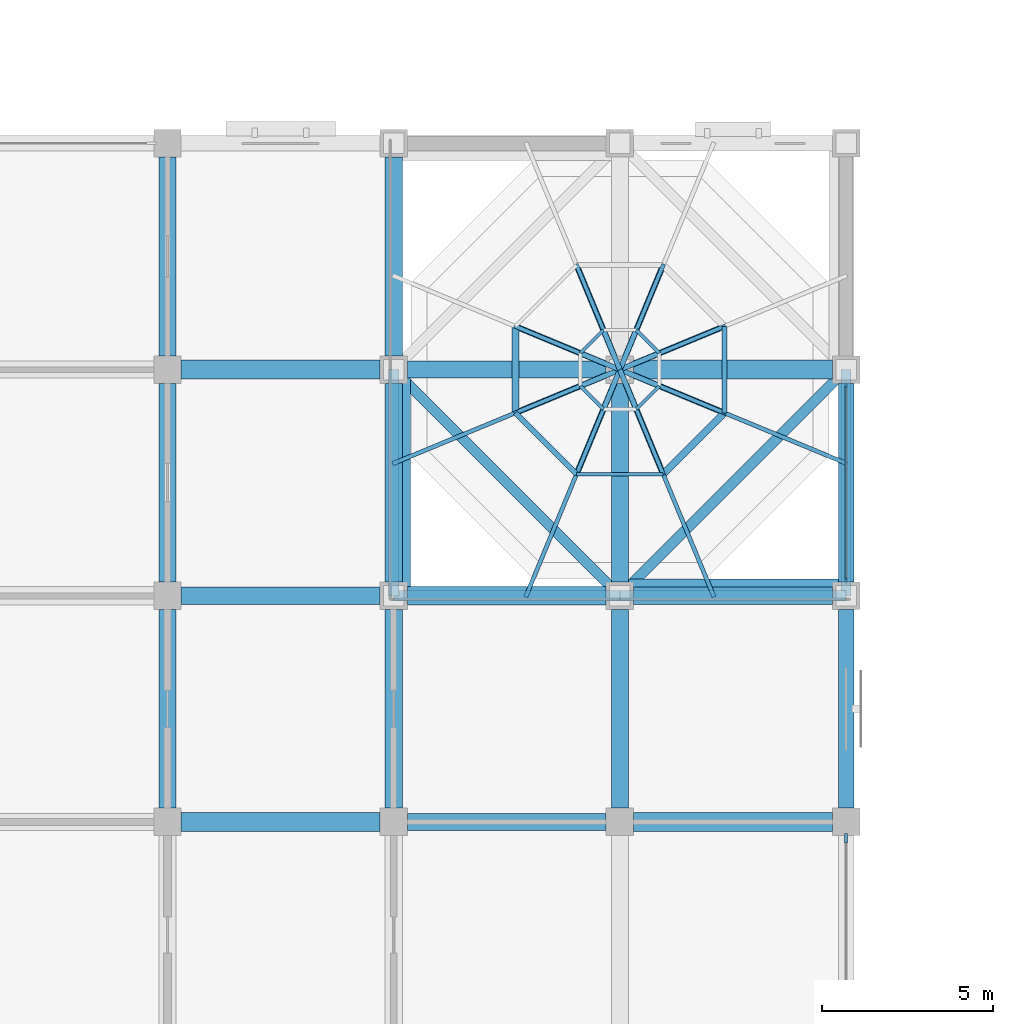
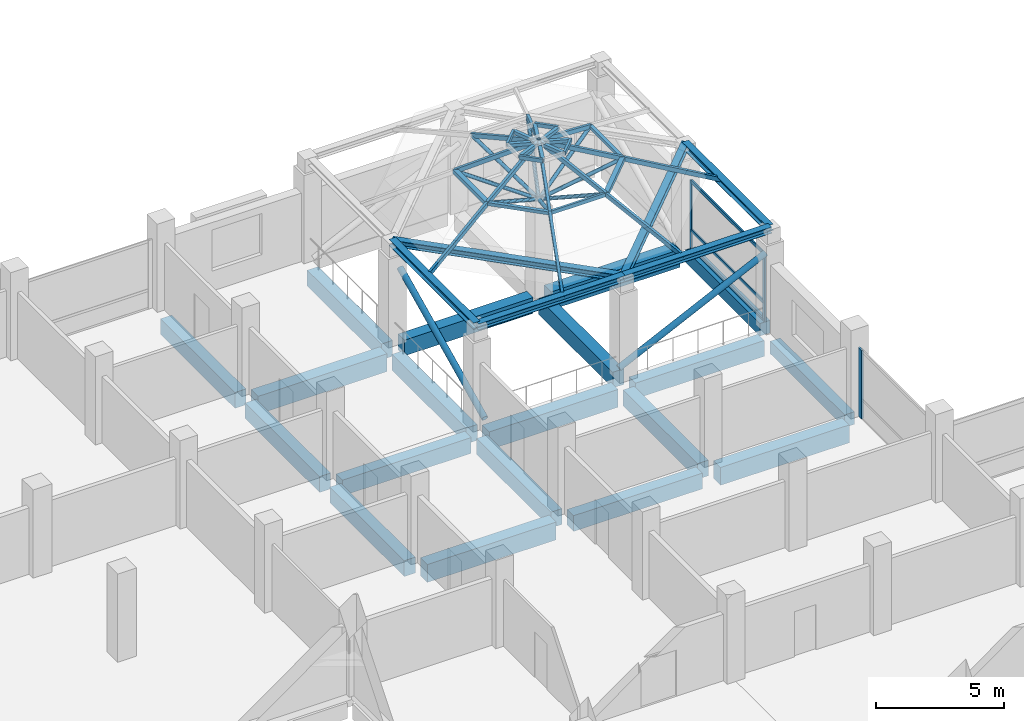
# One storey, part 6 of 25: 45 members, 25 beams, 2 elements without a shape of their own.
"""IFC4 building model written with IfcOpenShell, lengths in metres."""

from ifc_helpers import new_model, si_unit, direction, frame, origin, origin_2d, place, context, subcontext, project, spatial, rectangle, hollow_rectangle, hollow_circle, i_section, extrude, material, material_profile, profile_set, type_object, element, aggregate, save


model = new_model("IFC4")

# Units and contexts
model_context = context("Model", 3, precision=1e-05, world=origin(), true_north=direction((0.0, 1.0)))
body_context = subcontext(model_context, "Body", "Model", "MODEL_VIEW")
ifc_project = project(units=[si_unit("LENGTHUNIT", "METRE"), si_unit("AREAUNIT", "SQUARE_METRE"), si_unit("VOLUMEUNIT", "CUBIC_METRE"), si_unit("PLANEANGLEUNIT", "RADIAN"), si_unit("MASSUNIT", "GRAM", prefix="KILO")], contexts=[model_context])

# Site, building, storey
site_placement = place(None, origin())
site = spatial("IfcSite", under=ifc_project, at=site_placement, CompositionType="ELEMENT")
building_placement = place(site_placement, origin())
building = spatial("IfcBuilding", under=site, at=building_placement, Name="Rusizi Kubbe Research Institute", CompositionType="ELEMENT")
storey_placement = place(building_placement, frame((0.0, 0.0, 14.39990234375)))
storey = spatial("IfcBuildingStorey", under=building, at=storey_placement, Name="L03", CompositionType="ELEMENT", Elevation=14.39990234375)

# Beams
ifc_material_1 = material(Name="Steel S355", Category="steel")
ifc_material_profile_1 = material_profile(ifc_material_1, i_section(OverallWidth=0.300048828125, OverallDepth=0.300048828125, WebThickness=0.010986328125, FlangeThickness=0.01904296875, at=origin_2d()), Name="HEB 300")
ifc_profile_set_1 = profile_set([ifc_material_profile_1], Name="Steel S355")
beam_type_1 = type_object("IfcBeamType", Name="BM-HEB300", PredefinedType="BEAM", material=ifc_profile_set_1)
beam_1_placement = place(storey_placement, frame((39.60009765625, 39.60009765625, 4.7001953125), z_axis=(1.0, 0.0, 0.0), x_axis=(0.0, 1.0, 0.0)))
element("IfcBeam", 1, at=beam_1_placement, inside=storey, type_object=beam_type_1, Name="Kubbe Dome Ring Beam DOME-ATR S1", PredefinedType="BEAM", context=body_context, shape_type="SweptSolid", body=[
    extrude(i_section(OverallWidth=0.300048828125, OverallDepth=0.300048828125, WebThickness=0.010986328125, FlangeThickness=0.01904296875, at=origin_2d()), origin(), (0.0, 0.0, 1.0), 6.599853515625),
])
beam_2_placement = place(storey_placement, frame((46.199951171875, 39.60009765625, 4.7001953125), z_axis=(1.0, 0.0, 0.0), x_axis=(0.0, 1.0, 0.0)))
element("IfcBeam", 2, at=beam_2_placement, inside=storey, type_object=beam_type_1, Name="Kubbe Dome Ring Beam DOME-ATR S2", PredefinedType="BEAM", context=body_context, shape_type="SweptSolid", body=[
    extrude(i_section(OverallWidth=0.300048828125, OverallDepth=0.300048828125, WebThickness=0.010986328125, FlangeThickness=0.01904296875, at=origin_2d()), origin(), (0.0, 0.0, 1.0), 6.60009765625),
])
for number, where, z_axis, x_axis, name in (
    (3, (52.800048828125, 39.60009765625, 4.7001953125), (0.0, 1.0, 0.0), (-1.0, 0.0, 0.0), "Kubbe Dome Ring Beam DOME-ATR E1"),
    (4, (39.60009765625, 39.60009765625, 4.7001953125), (0.0, 1.0, 0.0), (-1.0, 0.0, 0.0), "Kubbe Dome Ring Beam DOME-ATR W1"),
):
    element("IfcBeam", number, at=place(storey_placement, frame(where, z_axis=z_axis, x_axis=x_axis)), inside=storey, type_object=beam_type_1, Name=name, PredefinedType="BEAM", context=body_context, shape_type="SweptSolid", body=[
        extrude(i_section(OverallWidth=0.300048828125, OverallDepth=0.300048828125, WebThickness=0.010986328125, FlangeThickness=0.01904296875, at=origin_2d()), origin(), (0.0, 0.0, 1.0), 6.599853515625),
    ])
beam_3_placement = place(storey_placement, frame((39.60009765625, 46.199951171875, 4.7001953125), z_axis=(0.707106781187, -0.707106781187, 0.0), x_axis=(0.707106781187, 0.707106781187, 0.0)))
element("IfcBeam", 5, at=beam_3_placement, inside=storey, type_object=beam_type_1, Name="Kubbe Dome Ring Beam DOME-ATR PSW", PredefinedType="BEAM", context=body_context, shape_type="SweptSolid", body=[
    extrude(i_section(OverallWidth=0.300048828125, OverallDepth=0.300048828125, WebThickness=0.010986328125, FlangeThickness=0.01904296875, at=origin_2d()), origin(), (0.0, 0.0, 1.0), 9.33349609375),
])
beam_4_placement = place(storey_placement, frame((46.199951171875, 39.60009765625, 4.7001953125), z_axis=(0.707119859409, 0.707093702722, 0.0), x_axis=(-0.707093702722, 0.707119859409, 0.0)))
element("IfcBeam", 6, at=beam_4_placement, inside=storey, type_object=beam_type_1, Name="Kubbe Dome Ring Beam DOME-ATR PSE", PredefinedType="BEAM", context=body_context, shape_type="SweptSolid", body=[
    extrude(i_section(OverallWidth=0.300048828125, OverallDepth=0.300048828125, WebThickness=0.010986328125, FlangeThickness=0.01904296875, at=origin_2d()), origin(), (0.0, 0.0, 1.0), 9.333740234375),
])
ifc_material_2 = material(Name="Concrete C40/50", Category="concrete")
ifc_material_profile_2 = material_profile(ifc_material_2, rectangle(XDim=0.449951171875, YDim=0.60009765625, at=origin_2d()), Name="RC450x600")
ifc_profile_set_2 = profile_set([ifc_material_profile_2], Name="Concrete C40/50")
beam_type_2 = type_object("IfcBeamType", Name="BM-RC450x600", PredefinedType="SPANDREL", material=ifc_profile_set_2)
for number, where, z_axis, x_axis, name in (
    (7, (52.800048828125, 33.39990234375, -0.64990234375), (0.0, 1.0, 0.0), (-1.0, 0.0, 0.0), "Grid Beam V L03 (8,5)"),
    (8, (52.800048828125, 40.0, -0.2998046875), (0.0, 1.0, 0.0), (-1.0, 0.0, 0.0), "Grid Beam V L03 (8,6)"),
):
    element("IfcBeam", number, at=place(storey_placement, frame(where, z_axis=z_axis, x_axis=x_axis)), inside=storey, type_object=beam_type_2, Name=name, PredefinedType="SPANDREL", context=body_context, shape_type="SweptSolid", body=[
        extrude(rectangle(XDim=0.449951171875, YDim=0.60009765625, at=origin_2d()), origin(), (0.0, 0.0, 1.0), 5.800048828125),
    ])
ifc_material_3 = material(Name="Concrete C45/55", Category="concrete")
ifc_material_profile_3 = material_profile(ifc_material_3, rectangle(XDim=0.5, YDim=0.75, at=origin_2d()), Name="RC500x750B")
ifc_profile_set_3 = profile_set([ifc_material_profile_3], Name="Concrete C45/55")
beam_type_3 = type_object("IfcBeamType", Name="BM-RC500x750", PredefinedType="BEAM", material=ifc_profile_set_3)
for number, where, z_axis, x_axis, name in (
    (9, (33.39990234375, 39.60009765625, -0.724853515625), (1.0, 0.0, 0.0), (0.0, 1.0, 0.0), "Grid Beam H L03 (5,6)"),
    (10, (40.0, 33.0, -0.724853515625), (1.0, 0.0, 0.0), (0.0, 1.0, 0.0), "Grid Beam H L03 (6,5)"),
    (11, (40.0, 46.199951171875, -0.375), (1.0, 0.0, 0.0), (0.0, 1.0, 0.0), "Grid Beam H L03 (6,7)"),
):
    element("IfcBeam", number, at=place(storey_placement, frame(where, z_axis=z_axis, x_axis=x_axis)), inside=storey, type_object=beam_type_3, Name=name, PredefinedType="BEAM", context=body_context, shape_type="SweptSolid", body=[
        extrude(rectangle(XDim=0.5, YDim=0.75, at=origin_2d()), origin(), (0.0, 0.0, 1.0), 5.800048828125),
    ])
beam_5_placement = place(storey_placement, frame((46.60009765625, 39.60009765625, -0.724853515625), z_axis=(1.0, 0.0, 0.0), x_axis=(0.0, 1.0, 0.0)))
element("IfcBeam", 12, at=beam_5_placement, inside=storey, type_object=beam_type_3, Name="Grid Beam H L03 (7,6)", PredefinedType="BEAM", context=body_context, shape_type="SweptSolid", body=[
    extrude(rectangle(XDim=0.5, YDim=0.75, at=origin_2d()), origin(), (0.0, 0.0, 1.0), 5.7998046875),
])
for number, where, z_axis, x_axis, name in (
    (13, (33.0, 33.39990234375, -0.724853515625), (0.0, 1.0, 0.0), (-1.0, 0.0, 0.0), "Grid Beam V L03 (5,5)"),
    (14, (33.0, 40.0, -0.724853515625), (0.0, 1.0, 0.0), (-1.0, 0.0, 0.0), "Grid Beam V L03 (5,6)"),
):
    element("IfcBeam", number, at=place(storey_placement, frame(where, z_axis=z_axis, x_axis=x_axis)), inside=storey, type_object=beam_type_3, Name=name, PredefinedType="BEAM", context=body_context, shape_type="SweptSolid", body=[
        extrude(rectangle(XDim=0.5, YDim=0.75, at=origin_2d()), origin(), (0.0, 0.0, 1.0), 5.800048828125),
    ])
beam_6_placement = place(storey_placement, frame((33.0, 46.60009765625, -0.724853515625), z_axis=(0.0, 1.0, 0.0), x_axis=(-1.0, 0.0, 0.0)))
element("IfcBeam", 15, at=beam_6_placement, inside=storey, type_object=beam_type_3, Name="Grid Beam V L03 (5,7)", PredefinedType="BEAM", context=body_context, shape_type="SweptSolid", body=[
    extrude(rectangle(XDim=0.5, YDim=0.75, at=origin_2d()), origin(), (0.0, 0.0, 1.0), 5.7998046875),
])
for number, where, z_axis, x_axis, name in (
    (16, (39.60009765625, 33.39990234375, -0.724853515625), (0.0, 1.0, 0.0), (-1.0, 0.0, 0.0), "Grid Beam V L03 (6,5)"),
    (17, (39.60009765625, 40.0, -0.724853515625), (0.0, 1.0, 0.0), (-1.0, 0.0, 0.0), "Grid Beam V L03 (6,6)"),
):
    element("IfcBeam", number, at=place(storey_placement, frame(where, z_axis=z_axis, x_axis=x_axis)), inside=storey, type_object=beam_type_3, Name=name, PredefinedType="BEAM", context=body_context, shape_type="SweptSolid", body=[
        extrude(rectangle(XDim=0.5, YDim=0.75, at=origin_2d()), origin(), (0.0, 0.0, 1.0), 5.800048828125),
    ])
beam_7_placement = place(storey_placement, frame((39.60009765625, 46.60009765625, -0.724853515625), z_axis=(0.0, 1.0, 0.0), x_axis=(-1.0, 0.0, 0.0)))
element("IfcBeam", 18, at=beam_7_placement, inside=storey, type_object=beam_type_3, Name="Grid Beam V L03 (6,7)", PredefinedType="BEAM", context=body_context, shape_type="SweptSolid", body=[
    extrude(rectangle(XDim=0.5, YDim=0.75, at=origin_2d()), origin(), (0.0, 0.0, 1.0), 5.7998046875),
])
for number, where, z_axis, x_axis, name in (
    (19, (46.199951171875, 33.39990234375, -0.724853515625), (0.0, 1.0, 0.0), (-1.0, 0.0, 0.0), "Grid Beam V L03 (7,5)"),
    (20, (46.199951171875, 40.0, -0.375), (0.0, 1.0, 0.0), (-1.0, 0.0, 0.0), "Grid Beam V L03 (7,6)"),
):
    element("IfcBeam", number, at=place(storey_placement, frame(where, z_axis=z_axis, x_axis=x_axis)), inside=storey, type_object=beam_type_3, Name=name, PredefinedType="BEAM", context=body_context, shape_type="SweptSolid", body=[
        extrude(rectangle(XDim=0.5, YDim=0.75, at=origin_2d()), origin(), (0.0, 0.0, 1.0), 5.800048828125),
    ])
ifc_material_4 = material(Name="Concrete C45/55", Category="concrete")
ifc_material_profile_4 = material_profile(ifc_material_4, rectangle(XDim=0.550048828125, YDim=0.85009765625, at=origin_2d()), Name="RC550x850")
ifc_profile_set_4 = profile_set([ifc_material_profile_4], Name="Concrete C45/55")
beam_type_4 = type_object("IfcBeamType", Name="BM-RC550x850", PredefinedType="BEAM", material=ifc_profile_set_4)
for number, where, z_axis, x_axis, name in (
    (21, (33.39990234375, 33.0, -0.77490234375), (1.0, 0.0, 0.0), (0.0, 1.0, 0.0), "Grid Beam H L03 (5,5)"),
    (22, (33.39990234375, 46.199951171875, -0.77490234375), (1.0, 0.0, 0.0), (0.0, 1.0, 0.0), "Grid Beam H L03 (5,7)"),
    (23, (40.0, 39.60009765625, -0.77490234375), (1.0, 0.0, 0.0), (0.0, 1.0, 0.0), "Grid Beam H L03 (6,6)"),
):
    element("IfcBeam", number, at=place(storey_placement, frame(where, z_axis=z_axis, x_axis=x_axis)), inside=storey, type_object=beam_type_4, Name=name, PredefinedType="BEAM", context=body_context, shape_type="SweptSolid", body=[
        extrude(rectangle(XDim=0.550048828125, YDim=0.85009765625, at=origin_2d()), origin(), (0.0, 0.0, 1.0), 5.800048828125),
    ])
for number, where, z_axis, x_axis, name in (
    (24, (46.60009765625, 33.0, -0.77490234375), (1.0, 0.0, 0.0), (0.0, 1.0, 0.0), "Grid Beam H L03 (7,5)"),
    (25, (46.60009765625, 46.199951171875, -0.4248046875), (1.0, 0.0, 0.0), (0.0, 1.0, 0.0), "Grid Beam H L03 (7,7)"),
):
    element("IfcBeam", number, at=place(storey_placement, frame(where, z_axis=z_axis, x_axis=x_axis)), inside=storey, type_object=beam_type_4, Name=name, PredefinedType="BEAM", context=body_context, shape_type="SweptSolid", body=[
        extrude(rectangle(XDim=0.550048828125, YDim=0.85009765625, at=origin_2d()), origin(), (0.0, 0.0, 1.0), 5.7998046875),
    ])

# Members
ifc_material_5 = material(Name="Steel S355", Category="steel")
ifc_material_profile_5 = material_profile(ifc_material_5, hollow_circle(Radius=0.084228515625, WallThickness=0.00634765625, at=origin_2d()), Name="CHS 168.3x6.3")
ifc_profile_set_5 = profile_set([ifc_material_profile_5], Name="Steel S355")
member_type_1 = type_object("IfcMemberType", Name="MB-CHS168", PredefinedType="STRUT", material=ifc_profile_set_5)
for number, where, z_axis, x_axis, name in (
    (26, (46.199951171875, 46.199951171875, 4.400146484375), (0.826837271665, 0.342507143364, 0.446126644497), (-0.382702441477, 0.92387165845, 0.0), "Kubbe Radial King-Post Strut DOME-ATR-1"),
    (27, (46.199951171875, 46.199951171875, 4.400146484375), (0.342507143364, 0.826837271665, 0.446126644497), (-0.92387165845, 0.382702441477, 0.0), "Kubbe Radial King-Post Strut DOME-ATR-2"),
    (28, (46.199951171875, 46.199951171875, 4.400146484375), (-0.342448698066, 0.826856021162, 0.446136760938), (-0.923897814256, -0.382639293348, 0.0), "Kubbe Radial King-Post Strut DOME-ATR-3"),
    (29, (46.199951171875, 46.199951171875, 4.400146484375), (-0.826837271665, 0.342507143364, 0.446126644497), (-0.382702441477, -0.92387165845, 0.0), "Kubbe Radial King-Post Strut DOME-ATR-4"),
    (30, (46.199951171875, 46.199951171875, 4.400146484375), (-0.826856021162, -0.342448698066, 0.446136760938), (0.382639293348, -0.923897814256, 0.0), "Kubbe Radial King-Post Strut DOME-ATR-5"),
    (31, (46.199951171875, 46.199951171875, 4.400146484375), (-0.342448698066, -0.826856021162, 0.446136760938), (0.923897814256, -0.382639293348, 0.0), "Kubbe Radial King-Post Strut DOME-ATR-6"),
    (32, (46.199951171875, 46.199951171875, 4.400146484375), (0.342507143364, -0.826837271665, 0.446126644497), (0.92387165845, 0.382702441477, 0.0), "Kubbe Radial King-Post Strut DOME-ATR-7"),
    (33, (46.199951171875, 46.199951171875, 4.400146484375), (0.826856021162, -0.342448698066, 0.446136760938), (0.382639293348, 0.923897814256, 0.0), "Kubbe Radial King-Post Strut DOME-ATR-8"),
):
    element("IfcMember", number, at=place(storey_placement, frame(where, z_axis=z_axis, x_axis=x_axis)), inside=storey, type_object=member_type_1, Name=name, PredefinedType="STRUT", context=body_context, shape_type="SweptSolid", body=[
        extrude(hollow_circle(Radius=0.084228515625, WallThickness=0.00634765625, at=origin_2d()), origin(), (0.0, 0.0, 1.0), 3.687255859375),
    ])
ifc_material_6 = material(Name="Steel S355", Category="steel")
ifc_material_profile_6 = material_profile(ifc_material_6, hollow_circle(Radius=0.136474609375, WallThickness=0.010009765625, at=origin_2d()), Name="CHS 273.0x10.0")
ifc_profile_set_6 = profile_set([ifc_material_profile_6], Name="Steel S355")
member_type_2 = type_object("IfcMemberType", Name="MB-CHS273", PredefinedType="BRACE", material=ifc_profile_set_6)
member_1_placement = place(storey_placement, frame((39.9599609375, 39.60009765625, 0.150146484375), z_axis=(0.0, 0.901950068618, 0.431840333597), x_axis=(-1.0, 0.0, 0.0)))
element("IfcMember", 34, at=member_1_placement, inside=storey, type_object=member_type_2, Name="Atrium Frame Lateral Brace L03-W", PredefinedType="BRACE", context=body_context, shape_type="SweptSolid", body=[
    extrude(hollow_circle(Radius=0.136474609375, WallThickness=0.010009765625, at=origin_2d()), origin(), (0.0, 0.0, 1.0), 7.3173828125),
])
member_2_placement = place(storey_placement, frame((46.199951171875, 39.9599609375, 0.150146484375), z_axis=(0.901956290403, 0.0, 0.431827338414), x_axis=(0.0, 1.0, 0.0)))
element("IfcMember", 35, at=member_2_placement, inside=storey, type_object=member_type_2, Name="Atrium Frame Lateral Brace L03-S", PredefinedType="BRACE", context=body_context, shape_type="SweptSolid", body=[
    extrude(hollow_circle(Radius=0.136474609375, WallThickness=0.010009765625, at=origin_2d()), origin(), (0.0, 0.0, 1.0), 7.317626953125),
])
ifc_material_7 = material(Name="Steel S355", Category="steel")
ifc_material_profile_7 = material_profile(ifc_material_7, hollow_rectangle(XDim=0.10009765625, YDim=0.179931640625, WallThickness=0.008056640625, at=origin_2d()), Name="RHS 180x100x8.0")
ifc_profile_set_7 = profile_set([ifc_material_profile_7], Name="Steel S355")
member_type_3 = type_object("IfcMemberType", Name="MB-RHS180", PredefinedType="PURLIN", material=ifc_profile_set_7)
member_3_placement = place(storey_placement, frame((47.354736328125, 46.678466796875, 7.10009765625), z_axis=(-0.707106781187, 0.707106781187, 0.0), x_axis=(-0.707106781187, -0.707106781187, 0.0)))
element("IfcMember", 36, at=member_3_placement, inside=storey, type_object=member_type_3, Name="Kubbe Dome Hoop Purlin Top DOME-ATR-1", PredefinedType="PURLIN", context=body_context, shape_type="SweptSolid", body=[
    extrude(hollow_rectangle(XDim=0.10009765625, YDim=0.179931640625, WallThickness=0.008056640625, at=origin_2d()), origin(), (0.0, 0.0, 1.0), 0.956298828125),
])
member_4_placement = place(storey_placement, frame((45.7216796875, 47.354736328125, 7.10009765625), z_axis=(-0.707234383237, -0.706979156105, 0.0), x_axis=(0.706979156105, -0.707234383237, 0.0)))
element("IfcMember", 37, at=member_4_placement, inside=storey, type_object=member_type_3, Name="Kubbe Dome Hoop Purlin Top DOME-ATR-3", PredefinedType="PURLIN", context=body_context, shape_type="SweptSolid", body=[
    extrude(hollow_rectangle(XDim=0.10009765625, YDim=0.179931640625, WallThickness=0.008056640625, at=origin_2d()), origin(), (0.0, 0.0, 1.0), 0.95654296875),
])
member_5_placement = place(storey_placement, frame((45.045166015625, 45.7216796875, 7.10009765625), z_axis=(0.707106781187, -0.707106781187, 0.0), x_axis=(0.707106781187, 0.707106781187, 0.0)))
element("IfcMember", 38, at=member_5_placement, inside=storey, type_object=member_type_3, Name="Kubbe Dome Hoop Purlin Top DOME-ATR-5", PredefinedType="PURLIN", context=body_context, shape_type="SweptSolid", body=[
    extrude(hollow_rectangle(XDim=0.10009765625, YDim=0.179931640625, WallThickness=0.008056640625, at=origin_2d()), origin(), (0.0, 0.0, 1.0), 0.956787109375),
])
member_6_placement = place(storey_placement, frame((44.937255859375, 43.151123046875, 6.045166015625), z_axis=(1.0, 0.0, 0.0), x_axis=(0.0, 1.0, 0.0)))
element("IfcMember", 39, at=member_6_placement, inside=storey, type_object=member_type_3, Name="Kubbe Vault Hoop Purlin Mid DOME-ATR-6", PredefinedType="PURLIN", context=body_context, shape_type="SweptSolid", body=[
    extrude(hollow_rectangle(XDim=0.10009765625, YDim=0.179931640625, WallThickness=0.008056640625, at=origin_2d()), origin(), (0.0, 0.0, 1.0), 2.525634765625),
])
member_7_placement = place(storey_placement, frame((46.678466796875, 45.045166015625, 7.10009765625), z_axis=(0.706979156105, 0.707234383237, 0.0), x_axis=(-0.707234383237, 0.706979156105, 0.0)))
element("IfcMember", 40, at=member_7_placement, inside=storey, type_object=member_type_3, Name="Kubbe Dome Hoop Purlin Top DOME-ATR-7", PredefinedType="PURLIN", context=body_context, shape_type="SweptSolid", body=[
    extrude(hollow_rectangle(XDim=0.10009765625, YDim=0.179931640625, WallThickness=0.008056640625, at=origin_2d()), origin(), (0.0, 0.0, 1.0), 0.95654296875),
])
ifc_material_8 = material(Name="Steel S355", Category="steel")
ifc_material_profile_8 = material_profile(ifc_material_8, hollow_rectangle(XDim=0.1201171875, YDim=0.199951171875, WallThickness=0.008056640625, at=origin_2d()), Name="RHS 200x120x8.0")
ifc_profile_set_8 = profile_set([ifc_material_profile_8], Name="Steel S355")
member_type_4 = type_object("IfcMemberType", Name="MB-RHS200", PredefinedType="RAFTER", material=ifc_profile_set_8)
for number, where, z_axis, x_axis, name in (
    (41, (49.248779296875, 47.462890625, 6.045166015625), (-0.873642937783, -0.361895813353, 0.325237509429), (0.382702441477, -0.92387165845, 0.0), "Kubbe Arch Rib Upper DOME-ATR-1"),
    (42, (47.462890625, 49.248779296875, 6.045166015625), (-0.361895813353, -0.873642937783, 0.325237509429), (0.92387165845, -0.382702441477, 0.0), "Kubbe Arch Rib Upper DOME-ATR-2"),
    (43, (44.937255859375, 49.248779296875, 6.045166015625), (0.361835014827, -0.873665055135, 0.325245743219), (0.923897814256, 0.382639293348, 0.0), "Kubbe Arch Rib Upper DOME-ATR-3"),
    (44, (43.151123046875, 47.462890625, 6.045166015625), (0.873642937783, -0.361895813353, 0.325237509429), (0.382702441477, 0.92387165845, 0.0), "Kubbe Arch Rib Upper DOME-ATR-4"),
):
    element("IfcMember", number, at=place(storey_placement, frame(where, z_axis=z_axis, x_axis=x_axis)), inside=storey, type_object=member_type_4, Name=name, PredefinedType="RAFTER", context=body_context, shape_type="SweptSolid", body=[
        extrude(hollow_rectangle(XDim=0.1201171875, YDim=0.199951171875, WallThickness=0.008056640625, at=origin_2d()), origin(), (0.0, 0.0, 1.0), 3.48974609375),
    ])
member_8_placement = place(storey_placement, frame((39.60009765625, 43.46630859375, 4.7001953125), z_axis=(0.872026953945, 0.361221202992, 0.330285080047), x_axis=(-0.382697731059, 0.923873609669, 0.0)))
element("IfcMember", 45, at=member_8_placement, inside=storey, type_object=member_type_4, Name="Kubbe Arch Rib Lower DOME-ATR-5", PredefinedType="RAFTER", context=body_context, shape_type="SweptSolid", body=[
    extrude(hollow_rectangle(XDim=0.1201171875, YDim=0.199951171875, WallThickness=0.008056640625, at=origin_2d()), origin(), (0.0, 0.0, 1.0), 4.072265625),
])
member_9_placement = place(storey_placement, frame((43.151123046875, 44.937255859375, 6.045166015625), z_axis=(0.873665055135, 0.361835014827, 0.325245743219), x_axis=(-0.382639293348, 0.923897814256, 0.0)))
element("IfcMember", 46, at=member_9_placement, inside=storey, type_object=member_type_4, Name="Kubbe Arch Rib Upper DOME-ATR-5", PredefinedType="RAFTER", context=body_context, shape_type="SweptSolid", body=[
    extrude(hollow_rectangle(XDim=0.1201171875, YDim=0.199951171875, WallThickness=0.008056640625, at=origin_2d()), origin(), (0.0, 0.0, 1.0), 3.48974609375),
])
member_10_placement = place(storey_placement, frame((43.46630859375, 39.60009765625, 4.7001953125), z_axis=(0.361221202992, 0.872026953945, 0.330285080047), x_axis=(-0.923873609669, 0.382697731059, 0.0)))
element("IfcMember", 47, at=member_10_placement, inside=storey, type_object=member_type_4, Name="Kubbe Arch Rib Lower DOME-ATR-6", PredefinedType="RAFTER", context=body_context, shape_type="SweptSolid", body=[
    extrude(hollow_rectangle(XDim=0.1201171875, YDim=0.199951171875, WallThickness=0.008056640625, at=origin_2d()), origin(), (0.0, 0.0, 1.0), 4.072265625),
])
member_11_placement = place(storey_placement, frame((44.937255859375, 43.151123046875, 6.045166015625), z_axis=(0.361835014827, 0.873665055135, 0.325245743219), x_axis=(-0.923897814256, 0.382639293348, 0.0)))
element("IfcMember", 48, at=member_11_placement, inside=storey, type_object=member_type_4, Name="Kubbe Arch Rib Upper DOME-ATR-6", PredefinedType="RAFTER", context=body_context, shape_type="SweptSolid", body=[
    extrude(hollow_rectangle(XDim=0.1201171875, YDim=0.199951171875, WallThickness=0.008056640625, at=origin_2d()), origin(), (0.0, 0.0, 1.0), 3.48974609375),
])
member_12_placement = place(storey_placement, frame((48.933837890625, 39.60009765625, 4.7001953125), z_axis=(-0.361221202992, 0.872026953945, 0.330285080047), x_axis=(-0.923873609669, -0.382697731059, 0.0)))
element("IfcMember", 49, at=member_12_placement, inside=storey, type_object=member_type_4, Name="Kubbe Arch Rib Lower DOME-ATR-7", PredefinedType="RAFTER", context=body_context, shape_type="SweptSolid", body=[
    extrude(hollow_rectangle(XDim=0.1201171875, YDim=0.199951171875, WallThickness=0.008056640625, at=origin_2d()), origin(), (0.0, 0.0, 1.0), 4.072265625),
])
member_13_placement = place(storey_placement, frame((47.462890625, 43.151123046875, 6.045166015625), z_axis=(-0.361895813353, 0.873642937783, 0.325237509429), x_axis=(-0.92387165845, -0.382702441477, 0.0)))
element("IfcMember", 50, at=member_13_placement, inside=storey, type_object=member_type_4, Name="Kubbe Arch Rib Upper DOME-ATR-7", PredefinedType="RAFTER", context=body_context, shape_type="SweptSolid", body=[
    extrude(hollow_rectangle(XDim=0.1201171875, YDim=0.199951171875, WallThickness=0.008056640625, at=origin_2d()), origin(), (0.0, 0.0, 1.0), 3.48974609375),
])
member_14_placement = place(storey_placement, frame((52.800048828125, 43.46630859375, 4.7001953125), z_axis=(-0.872041315873, 0.361202318722, 0.330267813086), x_axis=(-0.38267527446, -0.923882911584, 0.0)))
element("IfcMember", 51, at=member_14_placement, inside=storey, type_object=member_type_4, Name="Kubbe Arch Rib Lower DOME-ATR-8", PredefinedType="RAFTER", context=body_context, shape_type="SweptSolid", body=[
    extrude(hollow_rectangle(XDim=0.1201171875, YDim=0.199951171875, WallThickness=0.008056640625, at=origin_2d()), origin(), (0.0, 0.0, 1.0), 4.072265625),
])
member_15_placement = place(storey_placement, frame((49.248779296875, 44.937255859375, 6.045166015625), z_axis=(-0.873665055135, 0.361835014827, 0.325245743219), x_axis=(-0.382639293348, -0.923897814256, 0.0)))
element("IfcMember", 52, at=member_15_placement, inside=storey, type_object=member_type_4, Name="Kubbe Arch Rib Upper DOME-ATR-8", PredefinedType="RAFTER", context=body_context, shape_type="SweptSolid", body=[
    extrude(hollow_rectangle(XDim=0.1201171875, YDim=0.199951171875, WallThickness=0.008056640625, at=origin_2d()), origin(), (0.0, 0.0, 1.0), 3.48974609375),
])
ifc_material_9 = material(Name="Steel S355", Category="steel")
ifc_material_profile_9 = material_profile(ifc_material_9, hollow_rectangle(XDim=0.14990234375, YDim=0.14990234375, WallThickness=0.008056640625, at=origin_2d()), Name="SHS 150x150x8.0")
ifc_profile_set_9 = profile_set([ifc_material_profile_9], Name="Steel S355")
member_type_5 = type_object("IfcMemberType", Name="MB-SHS150", PredefinedType="PURLIN", material=ifc_profile_set_9)
for number, where, z_axis, x_axis, name in (
    (53, (46.199951171875, 46.199951171875, 7.10009765625), (0.923826362943, 0.382811769845, 0.0), (-0.382811769845, 0.923826362943, 0.0), "Kubbe Crown Collar DOME-ATR-1"),
    (54, (46.199951171875, 46.199951171875, 7.10009765625), (0.382811769845, 0.923826362943, 0.0), (-0.923826362943, 0.382811769845, 0.0), "Kubbe Crown Collar DOME-ATR-2"),
    (55, (46.199951171875, 46.199951171875, 7.10009765625), (-0.382645061011, 0.923895425513, 0.0), (-0.923895425513, -0.382645061011, 0.0), "Kubbe Crown Collar DOME-ATR-3"),
    (56, (46.199951171875, 46.199951171875, 7.10009765625), (-0.923826362943, 0.382811769845, 0.0), (-0.382811769845, -0.923826362943, 0.0), "Kubbe Crown Collar DOME-ATR-4"),
):
    element("IfcMember", number, at=place(storey_placement, frame(where, z_axis=z_axis, x_axis=x_axis)), inside=storey, type_object=member_type_5, Name=name, PredefinedType="PURLIN", context=body_context, shape_type="SweptSolid", body=[
        extrude(hollow_rectangle(XDim=0.14990234375, YDim=0.14990234375, WallThickness=0.008056640625, at=origin_2d()), origin(), (0.0, 0.0, 1.0), 1.25),
    ])
member_16_placement = place(storey_placement, frame((43.151123046875, 44.937255859375, 6.045166015625), z_axis=(0.707106781187, -0.707106781187, 0.0), x_axis=(0.707106781187, 0.707106781187, 0.0)))
element("IfcMember", 57, at=member_16_placement, inside=storey, type_object=member_type_5, Name="Kubbe Vault Hoop Purlin Mid DOME-ATR-5", PredefinedType="PURLIN", context=body_context, shape_type="SweptSolid", body=[
    extrude(hollow_rectangle(XDim=0.14990234375, YDim=0.14990234375, WallThickness=0.008056640625, at=origin_2d()), origin(), (0.0, 0.0, 1.0), 2.52587890625),
])
for number, where, z_axis, x_axis, name in (
    (58, (46.199951171875, 46.199951171875, 7.10009765625), (-0.923895425513, -0.382645061011, 0.0), (0.382645061011, -0.923895425513, 0.0), "Kubbe Crown Collar DOME-ATR-5"),
    (59, (46.199951171875, 46.199951171875, 7.10009765625), (-0.382645061011, -0.923895425513, 0.0), (0.923895425513, -0.382645061011, 0.0), "Kubbe Crown Collar DOME-ATR-6"),
    (60, (46.199951171875, 46.199951171875, 7.10009765625), (0.382811769845, -0.923826362943, 0.0), (0.923826362943, 0.382811769845, 0.0), "Kubbe Crown Collar DOME-ATR-7"),
):
    element("IfcMember", number, at=place(storey_placement, frame(where, z_axis=z_axis, x_axis=x_axis)), inside=storey, type_object=member_type_5, Name=name, PredefinedType="PURLIN", context=body_context, shape_type="SweptSolid", body=[
        extrude(hollow_rectangle(XDim=0.14990234375, YDim=0.14990234375, WallThickness=0.008056640625, at=origin_2d()), origin(), (0.0, 0.0, 1.0), 1.25),
    ])
member_17_placement = place(storey_placement, frame((49.248779296875, 44.937255859375, 6.045166015625), z_axis=(0.0, 1.0, 0.0), x_axis=(-1.0, 0.0, 0.0)))
element("IfcMember", 61, at=member_17_placement, inside=storey, type_object=member_type_5, Name="Kubbe Vault Hoop Purlin Mid DOME-ATR-8", PredefinedType="PURLIN", context=body_context, shape_type="SweptSolid", body=[
    extrude(hollow_rectangle(XDim=0.14990234375, YDim=0.14990234375, WallThickness=0.008056640625, at=origin_2d()), origin(), (0.0, 0.0, 1.0), 2.525634765625),
])
member_18_placement = place(storey_placement, frame((46.199951171875, 46.199951171875, 7.10009765625), z_axis=(0.923895425513, -0.382645061011, 0.0), x_axis=(0.382645061011, 0.923895425513, 0.0)))
element("IfcMember", 62, at=member_18_placement, inside=storey, type_object=member_type_5, Name="Kubbe Crown Collar DOME-ATR-8", PredefinedType="PURLIN", context=body_context, shape_type="SweptSolid", body=[
    extrude(hollow_rectangle(XDim=0.14990234375, YDim=0.14990234375, WallThickness=0.008056640625, at=origin_2d()), origin(), (0.0, 0.0, 1.0), 1.25),
])
ifc_material_10 = material(Name="Steel S355", Category="steel")
ifc_material_profile_10 = material_profile(ifc_material_10, hollow_rectangle(XDim=0.199951171875, YDim=0.199951171875, WallThickness=0.010009765625, at=origin_2d()), Name="SHS 200x200x10.0")
ifc_profile_set_10 = profile_set([ifc_material_profile_10], Name="Steel S355")
member_type_6 = type_object("IfcMemberType", Name="MB-SHS200", PredefinedType="PURLIN", material=ifc_profile_set_10)
member_19_placement = place(storey_placement, frame((43.151123046875, 47.462890625, 6.045166015625), z_axis=(0.0, -1.0, 0.0), x_axis=(1.0, 0.0, 0.0)))
element("IfcMember", 63, at=member_19_placement, inside=storey, type_object=member_type_6, Name="Kubbe Vault Hoop Purlin Mid DOME-ATR-4", PredefinedType="PURLIN", context=body_context, shape_type="SweptSolid", body=[
    extrude(hollow_rectangle(XDim=0.199951171875, YDim=0.199951171875, WallThickness=0.010009765625, at=origin_2d()), origin(), (0.0, 0.0, 1.0), 2.525634765625),
])
member_20_placement = place(storey_placement, frame((47.462890625, 43.151123046875, 6.045166015625), z_axis=(0.707058450181, 0.707155108889, 0.0), x_axis=(-0.707155108889, 0.707058450181, 0.0)))
element("IfcMember", 64, at=member_20_placement, inside=storey, type_object=member_type_6, Name="Kubbe Vault Hoop Purlin Mid DOME-ATR-7", PredefinedType="PURLIN", context=body_context, shape_type="SweptSolid", body=[
    extrude(hollow_rectangle(XDim=0.199951171875, YDim=0.199951171875, WallThickness=0.010009765625, at=origin_2d()), origin(), (0.0, 0.0, 1.0), 2.52587890625),
])

# Curtain wall, members
ifc_material_11 = material(Name="Thermally Broken Aluminium and Low-E Glazing", Category="aluminium")
curtain_wall_type = type_object("IfcCurtainWallType", Name="CW-06", PredefinedType="NOTDEFINED", material=ifc_material_11)
curtain_wall_1_placement = place(storey_placement, origin())
curtain_wall_1 = element("IfcCurtainWall", 65, at=curtain_wall_1_placement, inside=storey, type_object=curtain_wall_type, Name="Unitised Facade Curtain Wall CW-L03-V-08-06", PredefinedType="NOTDEFINED")
ifc_material_12 = material(Name="Aluminium Alloy 6063-T6", Category="aluminium")
ifc_material_profile_11 = material_profile(ifc_material_12, rectangle(XDim=0.06005859375, YDim=0.14990234375, at=origin_2d()), Name="ALU-M 60x150")
ifc_profile_set_11 = profile_set([ifc_material_profile_11], Name="Aluminium Alloy 6063-T6")
member_type_7 = type_object("IfcMemberType", Name="ML-01", PredefinedType="MULLION", material=ifc_profile_set_11)
member_21_placement = place(storey_placement, frame((52.800048828125, 40.06005859375, 0.0), z_axis=(0.0, 0.0, 1.0), x_axis=(-1.0, 0.0, 0.0)))
member_21 = element("IfcMember", 66, at=member_21_placement, type_object=member_type_7, Name="CW-06 mullion 1", PredefinedType="MULLION", context=body_context, shape_type="SweptSolid", body=[
    extrude(rectangle(XDim=0.06005859375, YDim=0.14990234375, at=origin_2d()), origin(), (0.0, 0.0, 1.0), 3.260009765625),
])
member_22_placement = place(storey_placement, frame((52.800048828125, 45.739990234375, 0.0), z_axis=(0.0, 0.0, 1.0), x_axis=(-1.0, 0.0, 0.0)))
member_22 = element("IfcMember", 67, at=member_22_placement, type_object=member_type_7, Name="CW-06 mullion 2", PredefinedType="MULLION", context=body_context, shape_type="SweptSolid", body=[
    extrude(rectangle(XDim=0.06005859375, YDim=0.14990234375, at=origin_2d()), origin(), (0.0, 0.0, 1.0), 3.260009765625),
])

# Curtain wall, member
curtain_wall_2_placement = place(storey_placement, origin())
curtain_wall_2 = element("IfcCurtainWall", 68, at=curtain_wall_2_placement, inside=storey, type_object=curtain_wall_type, Name="Unitised Facade Curtain Wall CW-L03-V-08-04", PredefinedType="NOTDEFINED")
ifc_material_13 = material(Name="Aluminium Alloy 6063-T6", Category="aluminium")
ifc_material_profile_12 = material_profile(ifc_material_13, rectangle(XDim=0.080078125, YDim=0.280029296875, at=origin_2d()), Name="ALU-M 80x280")
ifc_profile_set_12 = profile_set([ifc_material_profile_12], Name="Aluminium Alloy 6063-T6")
member_type_8 = type_object("IfcMemberType", Name="ML-06", PredefinedType="MULLION", material=ifc_profile_set_12)
member_23_placement = place(storey_placement, frame((52.800048828125, 32.530029296875, 0.0), z_axis=(0.0, 0.0, 1.0), x_axis=(-1.0, 0.0, 0.0)))
member_23 = element("IfcMember", 69, at=member_23_placement, type_object=member_type_8, Name="CW-06 mullion 2", PredefinedType="MULLION", context=body_context, shape_type="SweptSolid", body=[
    extrude(rectangle(XDim=0.080078125, YDim=0.280029296875, at=origin_2d()), origin(), (0.0, 0.0, 1.0), 3.260009765625),
])
aggregate(curtain_wall_2, [member_23])

# Member
ifc_material_14 = material(Name="Aluminium Alloy 6063-T6", Category="aluminium")
ifc_material_profile_13 = material_profile(ifc_material_14, rectangle(XDim=0.06494140625, YDim=0.159912109375, at=origin_2d()), Name="ALU-T 65x160")
ifc_profile_set_13 = profile_set([ifc_material_profile_13], Name="Aluminium Alloy 6063-T6")
member_type_9 = type_object("IfcMemberType", Name="TR-03", PredefinedType="USERDEFINED", material=ifc_profile_set_13)
member_24_placement = place(storey_placement, frame((52.800048828125, 40.090087890625, 0.03271484375), z_axis=(0.0, 1.0, 0.0), x_axis=(-1.0, 0.0, 0.0)))
member_24 = element("IfcMember", 70, at=member_24_placement, type_object=member_type_9, Name="CW-06 transom 1.1", ObjectType="TRANSOM", PredefinedType="USERDEFINED", context=body_context, shape_type="SweptSolid", body=[
    extrude(rectangle(XDim=0.06494140625, YDim=0.159912109375, at=origin_2d()), origin(), (0.0, 0.0, 1.0), 5.619873046875),
])

member_25_placement = place(storey_placement, frame((52.800048828125, 40.090087890625, 0.900146484375), z_axis=(0.0, 1.0, 0.0), x_axis=(-1.0, 0.0, 0.0)))
member_25 = element("IfcMember", 71, at=member_25_placement, type_object=member_type_9, Name="CW-06 transom 1.2", ObjectType="TRANSOM", PredefinedType="USERDEFINED", context=body_context, shape_type="SweptSolid", body=[
    extrude(rectangle(XDim=0.06494140625, YDim=0.159912109375, at=origin_2d()), origin(), (0.0, 0.0, 1.0), 5.619873046875),
])

member_26_placement = place(storey_placement, frame((52.800048828125, 40.090087890625, 3.2275390625), z_axis=(0.0, 1.0, 0.0), x_axis=(-1.0, 0.0, 0.0)))
member_26 = element("IfcMember", 72, at=member_26_placement, type_object=member_type_9, Name="CW-06 transom 1.3", ObjectType="TRANSOM", PredefinedType="USERDEFINED", context=body_context, shape_type="SweptSolid", body=[
    extrude(rectangle(XDim=0.06494140625, YDim=0.159912109375, at=origin_2d()), origin(), (0.0, 0.0, 1.0), 5.619873046875),
])

aggregate(curtain_wall_1, [member_21, member_22, member_24, member_25, member_26])

save(model, "model.ifc")
